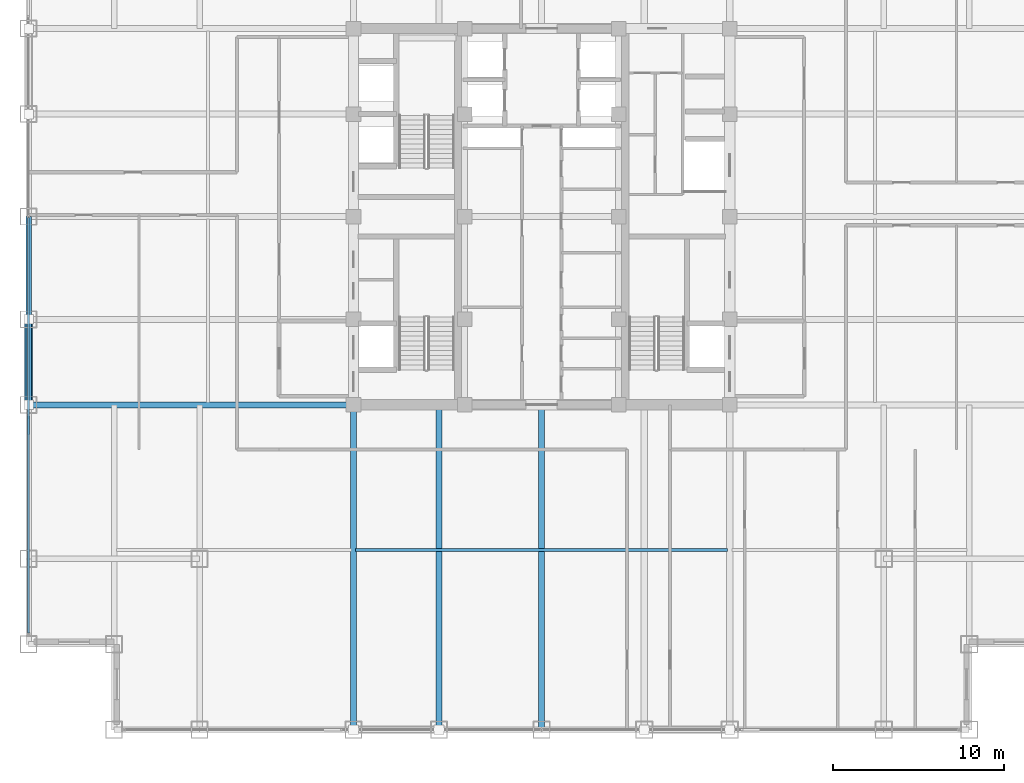
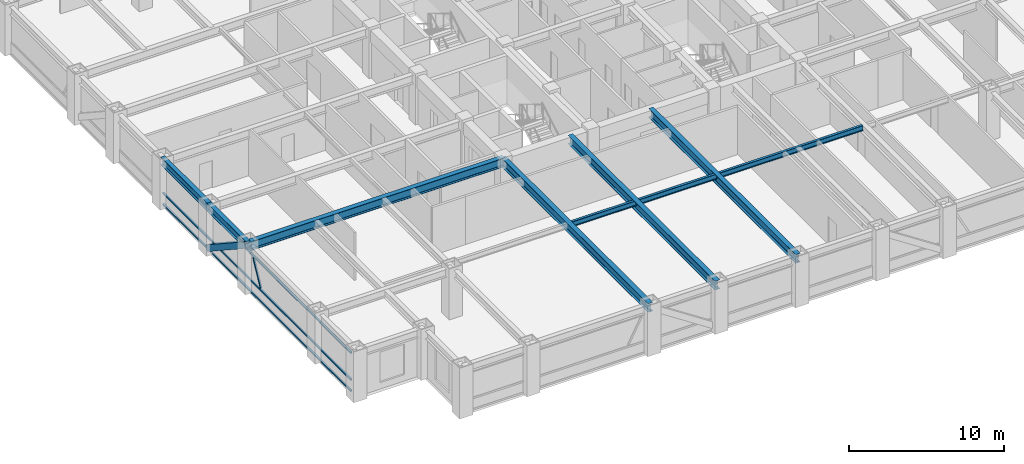
# One storey, part 5 of 25: 7 beams, 5 members, 1 element without a shape of its own.
"""IFC4 building model written with IfcOpenShell, lengths in metres."""

from ifc_helpers import new_model, si_unit, direction, frame, origin, origin_2d, place, context, subcontext, project, spatial, hollow_rectangle, i_section, extrude, source, transform, mapped, material, material_profile, profile_set, type_object, element, aggregate, save


model = new_model("IFC4")

# Units and contexts
model_context = context("Model", 3, precision=1e-05, world=origin(), true_north=direction((0.0, 1.0)))
body_context = subcontext(model_context, "Body", "Model", "MODEL_VIEW")
ifc_project = project(units=[si_unit("LENGTHUNIT", "METRE"), si_unit("AREAUNIT", "SQUARE_METRE"), si_unit("VOLUMEUNIT", "CUBIC_METRE"), si_unit("PLANEANGLEUNIT", "RADIAN"), si_unit("MASSUNIT", "GRAM", prefix="KILO")], contexts=[model_context])

# Site, building, storey
site_placement = place(None, origin())
site = spatial("IfcSite", under=ifc_project, at=site_placement, CompositionType="ELEMENT")
building_placement = place(site_placement, origin())
building = spatial("IfcBuilding", under=site, at=building_placement, Name="Khorayat Bourse Tower", CompositionType="ELEMENT")
storey_placement = place(building_placement, frame((0.0, 0.0, 223.10009765625)))
storey = spatial("IfcBuildingStorey", under=building, at=storey_placement, Name="L52", CompositionType="ELEMENT", Elevation=223.10009765625)

# Beams
ifc_material_1 = material(Name="Steel ASTM A992 Grade 50", Category="steel")
ifc_material_profile_1 = material_profile(ifc_material_1, i_section(OverallWidth=0.180908203125, OverallDepth=0.4169921875, WebThickness=0.010986328125, FlangeThickness=0.018310546875, FilletRadius=0.011962890625, at=origin_2d()), Name="W410X85")
ifc_profile_set_1 = profile_set([ifc_material_profile_1], Name="Steel ASTM A992 Grade 50")
beam_type_1 = type_object("IfcBeamType", Name="BM-JOIST-410", PredefinedType="JOIST", material=ifc_profile_set_1)
shared_shape_1 = source(origin(), body_context, "Body", "SweptSolid", [
    extrude(i_section(OverallWidth=0.180908203125, OverallDepth=0.4169921875, WebThickness=0.010986328125, FlangeThickness=0.018310546875, FilletRadius=0.011962890625, at=origin_2d()), origin(), (0.0, 0.0, 1.0), 21.740234375),
])
beam_1_placement = place(storey_placement, frame((-10.8701171875, -19.5, 3.5712890625), z_axis=(1.0, 0.0, 0.0), x_axis=(0.0, 1.0, 0.0)))
element("IfcBeam", 1, at=beam_1_placement, inside=storey, type_object=beam_type_1, Name="L52 BM-JOIST-410 BM-L52-JSTX-097", PredefinedType="JOIST", context=body_context, shape_type="MappedRepresentation", body=[
    mapped(shared_shape_1, transform((0.0, 0.0, 0.0), scale=1.0)),
])
ifc_material_profile_2 = material_profile(ifc_material_1, i_section(OverallWidth=0.324951171875, OverallDepth=0.615966796875, WebThickness=0.013916015625, FlangeThickness=0.021484375, FilletRadius=0.01611328125, at=origin_2d()), Name="W610X174")
ifc_profile_set_2 = profile_set([ifc_material_profile_2], Name="Steel ASTM A992 Grade 50")
beam_type_2 = type_object("IfcBeamType", Name="BM-SPAN-610", PredefinedType="SPANDREL", material=ifc_profile_set_2)
shared_shape_2 = source(origin(), body_context, "Body", "SweptSolid", [
    extrude(i_section(OverallWidth=0.324951171875, OverallDepth=0.615966796875, WebThickness=0.013916015625, FlangeThickness=0.021484375, FilletRadius=0.01611328125, at=origin_2d()), origin(), (0.0, 0.0, 1.0), 5.0),
])
beam_2_placement = place(storey_placement, frame((-30.0, -11.0, 3.471923828125), z_axis=(0.0, 1.0, 0.0), x_axis=(-1.0, 0.0, 0.0)))
element("IfcBeam", 2, at=beam_2_placement, inside=storey, type_object=beam_type_2, Name="L52 BM-SPAN-610 BM-L52-SPN-059", PredefinedType="SPANDREL", context=body_context, shape_type="MappedRepresentation", body=[
    mapped(shared_shape_2, transform((0.0, 0.0, 0.0), scale=1.0)),
])
shared_shape_3 = source(origin(), body_context, "Body", "SweptSolid", [
    extrude(i_section(OverallWidth=0.324951171875, OverallDepth=0.615966796875, WebThickness=0.013916015625, FlangeThickness=0.021484375, FilletRadius=0.01611328125, at=origin_2d()), origin(), (0.0, 0.0, 1.0), 6.0),
])
beam_3_placement = place(storey_placement, frame((-30.0, -6.0, 3.471923828125), z_axis=(0.0, 1.0, 0.0), x_axis=(-1.0, 0.0, 0.0)))
element("IfcBeam", 3, at=beam_3_placement, inside=storey, type_object=beam_type_2, Name="L52 BM-SPAN-610 BM-L52-SPN-058", PredefinedType="SPANDREL", context=body_context, shape_type="MappedRepresentation", body=[
    mapped(shared_shape_3, transform((0.0, 0.0, 0.0), scale=1.0)),
])
ifc_material_profile_3 = material_profile(ifc_material_1, i_section(OverallWidth=0.35498046875, OverallDepth=0.695068359375, WebThickness=0.015380859375, FlangeThickness=0.02490234375, FilletRadius=0.01806640625, at=origin_2d()), Name="W690X217")
ifc_profile_set_3 = profile_set([ifc_material_profile_3], Name="Steel ASTM A992 Grade 50")
beam_type_3 = type_object("IfcBeamType", Name="BM-GIRD-690", PredefinedType="BEAM", material=ifc_profile_set_3)
shared_shape_4 = source(origin(), body_context, "Body", "SweptSolid", [
    extrude(i_section(OverallWidth=0.35498046875, OverallDepth=0.695068359375, WebThickness=0.015380859375, FlangeThickness=0.02490234375, FilletRadius=0.01806640625, at=origin_2d()), origin(), (0.0, 0.0, 1.0), 19.0),
])
for number, where, z_axis, x_axis, name in (
    (4, (-11.0, -30.0, 3.432373046875), (0.0, 1.0, 0.0), (-1.0, 0.0, 0.0), "L52 BM-GIRD-690 BM-L52-RADY-065"),
    (5, (-6.0, -30.0, 3.432373046875), (0.0, 1.0, 0.0), (-1.0, 0.0, 0.0), "L52 BM-GIRD-690 BM-L52-RADY-067"),
    (6, (0.0, -30.0, 3.432373046875), (0.0, 1.0, 0.0), (-1.0, 0.0, 0.0), "L52 BM-GIRD-690 BM-L52-RADY-069"),
    (7, (-30.0, -11.0, 3.432373046875), (1.0, 0.0, 0.0), (0.0, 1.0, 0.0), "L52 BM-GIRD-690 BM-L52-RADX-075"),
):
    element("IfcBeam", number, at=place(storey_placement, frame(where, z_axis=z_axis, x_axis=x_axis)), inside=storey, type_object=beam_type_3, Name=name, PredefinedType="BEAM", context=body_context, shape_type="MappedRepresentation", body=[
        mapped(shared_shape_4, transform((0.0, 0.0, 0.0), scale=1.0)),
    ])

# Member
ifc_material_2 = material(Name="Steel EN 10025-4 S460M", Category="steel")
ifc_material_profile_4 = material_profile(ifc_material_2, hollow_rectangle(XDim=0.449951171875, YDim=0.449951171875, WallThickness=0.02490234375, at=origin_2d()), Name="HSS 450x450x25")
ifc_profile_set_4 = profile_set([ifc_material_profile_4], Name="Steel EN 10025-4 S460M")
member_type_1 = type_object("IfcMemberType", Name="MBR-TUBE-450", PredefinedType="BRACE", material=ifc_profile_set_4)
shared_shape_5 = source(origin(), body_context, "Body", "SweptSolid", [
    extrude(hollow_rectangle(XDim=0.449951171875, YDim=0.449951171875, WallThickness=0.02490234375, at=origin_2d()), origin(), (0.0, 0.0, 1.0), 5.979736328125),
])
member_1_placement = place(storey_placement, frame((-30.0, -11.0, 3.52978515625), z_axis=(0.0, 0.836160261256, -0.548485202623), x_axis=(-1.0, 0.0, 0.0)))
element("IfcMember", 8, at=member_1_placement, inside=storey, type_object=member_type_1, Name="L52 Perimeter Tube Brace 05", PredefinedType="BRACE", context=body_context, shape_type="MappedRepresentation", body=[
    mapped(shared_shape_5, transform((0.0, 0.0, 0.0), scale=1.0)),
])

# Curtain wall, members
ifc_material_3 = material(Name="Aluminium EN AW-6063 T6", Category="aluminium")
curtain_wall_type = type_object("IfcCurtainWallType", Name="CW-SYS-03", PredefinedType="NOTDEFINED", material=ifc_material_3)
curtain_wall_placement = place(storey_placement, origin())
curtain_wall = element("IfcCurtainWall", 9, at=curtain_wall_placement, inside=storey, type_object=curtain_wall_type, Name="L52 Curtain Wall CW-L52-W1", PredefinedType="NOTDEFINED")
ifc_material_profile_5 = material_profile(ifc_material_3, hollow_rectangle(XDim=0.1201171875, YDim=0.1201171875, WallThickness=0.0048828125, at=origin_2d()), Name="ALU 120x120x5")
ifc_profile_set_5 = profile_set([ifc_material_profile_5], Name="Aluminium EN AW-6063 T6")
member_type_2 = type_object("IfcMemberType", Name="CWM-DIAG-120", PredefinedType="MULLION", material=ifc_profile_set_5)
shared_shape_6 = source(origin(), body_context, "Body", "SweptSolid", [
    extrude(hollow_rectangle(XDim=0.1201171875, YDim=0.1201171875, WallThickness=0.0048828125, at=origin_2d()), origin(), (0.0, 0.0, 1.0), 2.079345703125),
])
member_2_placement = place(storey_placement, frame((-30.0, -12.67919921875, 1.08984375), z_axis=(0.0, 0.465760949701, 0.884910581773), x_axis=(-1.0, 0.0, 0.0)))
member_2 = element("IfcMember", 10, at=member_2_placement, type_object=member_type_2, Name="CW-L52-W1 Faceted Diagonal Mullion 1", PredefinedType="MULLION", context=body_context, shape_type="MappedRepresentation", body=[
    mapped(shared_shape_6, transform((0.0, 0.0, 0.0), scale=1.0)),
])
ifc_material_profile_6 = material_profile(ifc_material_3, hollow_rectangle(XDim=0.1201171875, YDim=0.1201171875, WallThickness=0.0048828125, at=origin_2d()), Name="ALU 120x120x5")
ifc_profile_set_6 = profile_set([ifc_material_profile_6], Name="Aluminium EN AW-6063 T6")
member_type_3 = type_object("IfcMemberType", Name="CWT-HORZ-120", PredefinedType="USERDEFINED", material=ifc_profile_set_6)
shared_shape_7 = source(origin(), body_context, "Body", "SweptSolid", [
    extrude(hollow_rectangle(XDim=0.1201171875, YDim=0.1201171875, WallThickness=0.0048828125, at=origin_2d()), origin(), (0.0, 0.0, 1.0), 24.27001953125),
])
member_3_placement = place(storey_placement, frame((-30.0, -24.330078125, 0.059814453125), z_axis=(0.0, 1.0, 0.0), x_axis=(-1.0, 0.0, 0.0)))
member_3 = element("IfcMember", 11, at=member_3_placement, type_object=member_type_3, Name="CW-L52-W1 Horizontal Transom 1-1", ObjectType="TRANSOM", PredefinedType="USERDEFINED", context=body_context, shape_type="MappedRepresentation", body=[
    mapped(shared_shape_7, transform((0.0, 0.0, 0.0), scale=1.0)),
])
member_4_placement = place(storey_placement, frame((-30.0, -24.330078125, 0.949951171875), z_axis=(0.0, 1.0, 0.0), x_axis=(-1.0, 0.0, 0.0)))
member_4 = element("IfcMember", 12, at=member_4_placement, type_object=member_type_3, Name="CW-L52-W1 Horizontal Transom 1-2", ObjectType="TRANSOM", PredefinedType="USERDEFINED", context=body_context, shape_type="MappedRepresentation", body=[
    mapped(shared_shape_7, transform((0.0, 0.0, 0.0), scale=1.0)),
])
member_5_placement = place(storey_placement, frame((-30.0, -24.330078125, 3.06982421875), z_axis=(0.0, 1.0, 0.0), x_axis=(-1.0, 0.0, 0.0)))
member_5 = element("IfcMember", 13, at=member_5_placement, type_object=member_type_3, Name="CW-L52-W1 Horizontal Transom 1-3", ObjectType="TRANSOM", PredefinedType="USERDEFINED", context=body_context, shape_type="MappedRepresentation", body=[
    mapped(shared_shape_7, transform((0.0, 0.0, 0.0), scale=1.0)),
])
aggregate(curtain_wall, [member_3, member_4, member_5, member_2])

save(model, "model.ifc")
